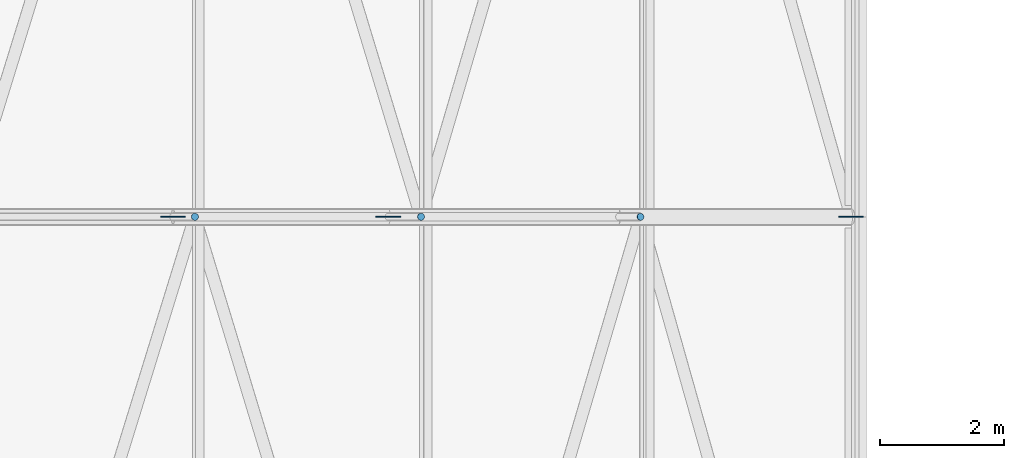
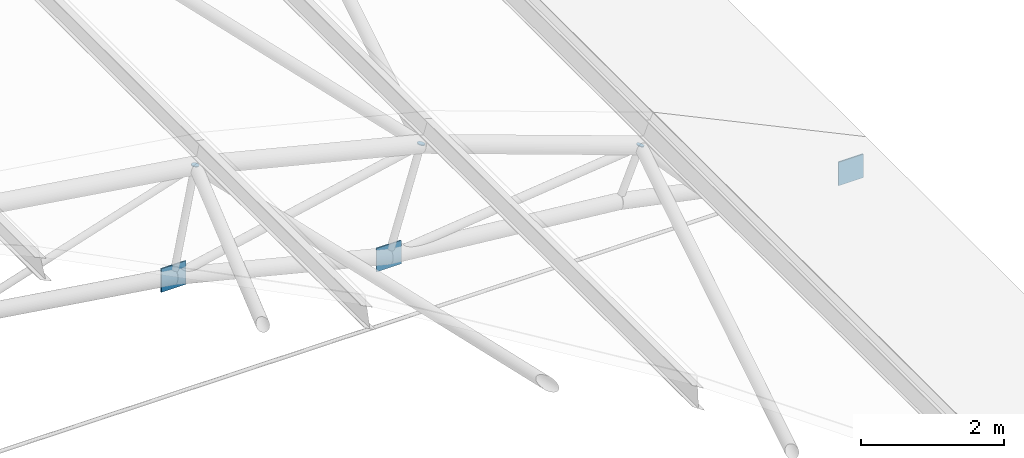
# One storey, part 305 of 321: 6 discrete accessories.
"""IFC4 building model written with IfcOpenShell, lengths in metres."""

from ifc_helpers import new_model, si_unit, direction, frame, origin, origin_2d, place, context, subcontext, project, spatial, rectangle, circle, extrude, material, material_profile, profile_set, type_object, element, save


model = new_model("IFC4")

# Units and contexts
model_context = context("Model", 3, precision=1e-05, world=origin(), true_north=direction((0.0, 1.0)))
body_context = subcontext(model_context, "Body", "Model", "MODEL_VIEW")
ifc_project = project(units=[si_unit("LENGTHUNIT", "METRE"), si_unit("AREAUNIT", "SQUARE_METRE"), si_unit("VOLUMEUNIT", "CUBIC_METRE"), si_unit("PLANEANGLEUNIT", "RADIAN"), si_unit("MASSUNIT", "GRAM", prefix="KILO")], contexts=[model_context])

# Site, building, storey
site_placement = place(None, origin())
site = spatial("IfcSite", under=ifc_project, at=site_placement, CompositionType="ELEMENT")
building_placement = place(site_placement, origin())
building = spatial("IfcBuilding", under=site, at=building_placement, Name="Ravi Spectrum Wholesale Market", CompositionType="ELEMENT")
storey_placement = place(building_placement, frame((0.0, 0.0, 10.800048828125)))
storey = spatial("IfcBuildingStorey", under=building, at=storey_placement, Name="L02", CompositionType="ELEMENT", Elevation=10.800048828125)

# Discrete accessories
ifc_material_1 = material(Name="Steel S355", Category="steel")
ifc_material_profile_1 = material_profile(ifc_material_1, circle(Radius=0.05712890625, at=origin_2d()))
ifc_profile_set_1 = profile_set([ifc_material_profile_1], Name="Steel S355")
discrete_accessory_type_1 = type_object("IfcDiscreteAccessoryType", Name="End plate CHS 114.3x4", PredefinedType="BRACKET", material=ifc_profile_set_1)
for number, where, z_axis, x_axis, name in (
    (1, (187.448486328125, 150.0, 3.767822265625), (0.18428853505, 0.0, 0.982872186934), (0.0, 1.0, 0.0), "End plate"),
    (2, (191.083251953125, 150.0, 2.859130859375), (0.2854765866, 0.0, 0.958385683586), (0.0, 1.0, 0.0), "End plate"),
):
    element("IfcDiscreteAccessory", number, at=place(storey_placement, frame(where, z_axis=z_axis, x_axis=x_axis)), inside=storey, type_object=discrete_accessory_type_1, Name=name, PredefinedType="BRACKET", context=body_context, shape_type="SweptSolid", body=[
        extrude(circle(Radius=0.05712890625, at=origin_2d()), origin(), (0.0, 0.0, 1.0), 0.011962890625),
    ])
discrete_accessory_placement = place(storey_placement, frame((194.61181640625, 150.0, 1.59912109375), z_axis=(0.371390676354, 0.0, 0.928476690885), x_axis=(0.0, 1.0, 0.0)))
element("IfcDiscreteAccessory", 3, at=discrete_accessory_placement, inside=storey, type_object=discrete_accessory_type_1, Name="End plate", PredefinedType="BRACKET", context=body_context, shape_type="SweptSolid", body=[
    extrude(circle(Radius=0.05712890625, at=origin_2d()), origin(), (0.0, 0.0, 1.0), 0.01171875),
])
ifc_material_2 = material(Name="Steel S355", Category="steel")
ifc_material_profile_2 = material_profile(ifc_material_2, rectangle(XDim=0.39990234375, YDim=0.02001953125, at=origin_2d()))
ifc_profile_set_2 = profile_set([ifc_material_profile_2], Name="Steel S355")
discrete_accessory_type_2 = type_object("IfcDiscreteAccessoryType", Name="Gusset plate 400x400x20", PredefinedType="BRACKET", material=ifc_profile_set_2)
for number, where, z_axis, x_axis, name in (
    (4, (187.097900390625, 150.0, 1.80224609375), (0.0, 0.0, 1.0), (-1.0, 0.0, 0.0), "Gusset plate"),
    (5, (190.561767578125, 150.0, 0.936279296875), (0.0, 0.0, 1.0), (-1.0, 0.0, 0.0), "Gusset plate"),
    (6, (198.0, 150.0, -0.199951171875), (0.0, 0.0, 1.0), (1.0, 0.0, 0.0), "Gusset plate"),
):
    element("IfcDiscreteAccessory", number, at=place(storey_placement, frame(where, z_axis=z_axis, x_axis=x_axis)), inside=storey, type_object=discrete_accessory_type_2, Name=name, PredefinedType="BRACKET", context=body_context, shape_type="SweptSolid", body=[
        extrude(rectangle(XDim=0.39990234375, YDim=0.02001953125, at=origin_2d()), origin(), (0.0, 0.0, 1.0), 0.39990234375),
    ])

save(model, "model.ifc")
